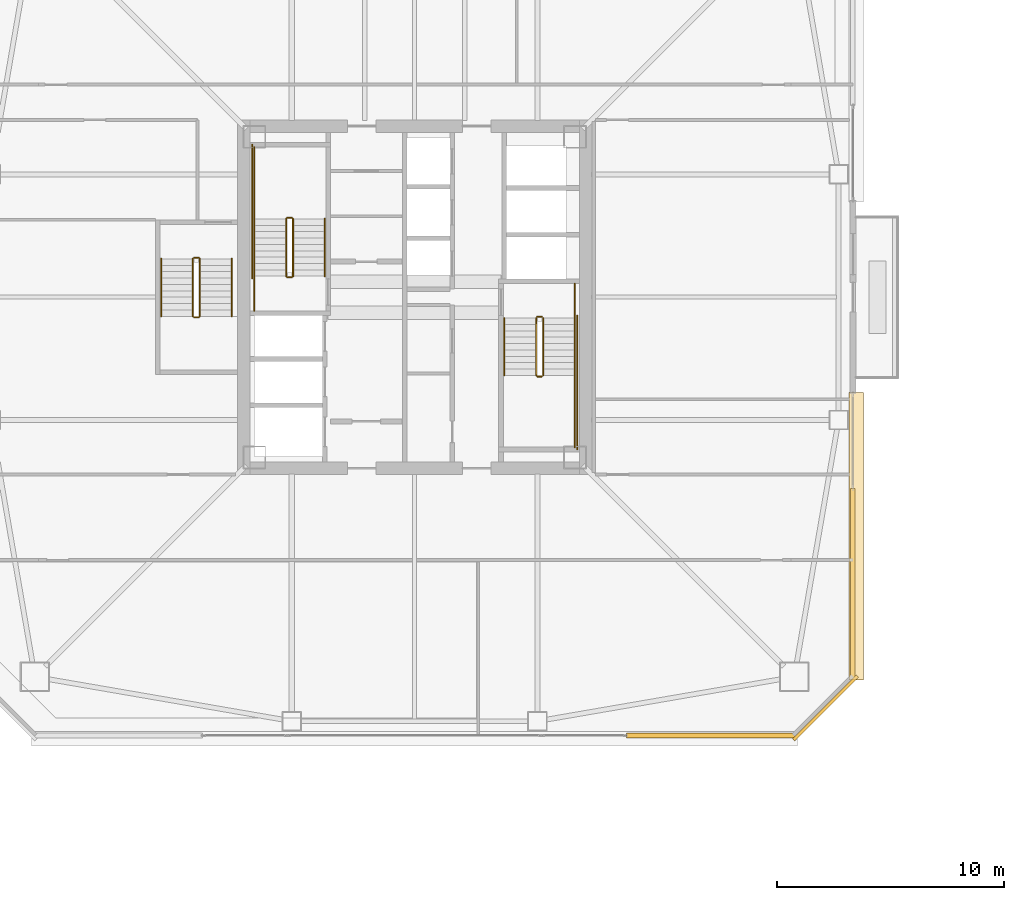
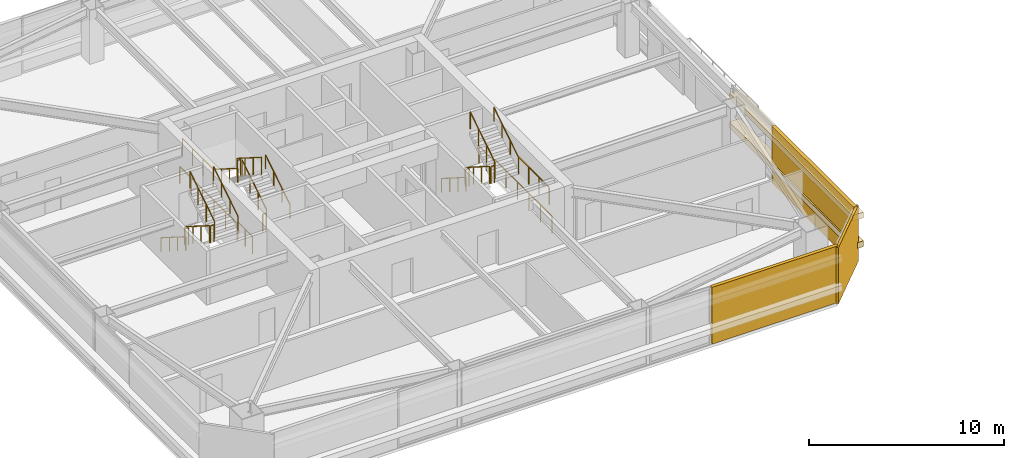
# One storey, part 36 of 40: 24 railings, 5 coverings.
"""IFC4 building model written with IfcOpenShell, lengths in metres."""

from ifc_helpers import new_model, si_unit, direction, frame, origin, origin_2d, place, context, subcontext, project, spatial, rectangle, extrude, material, layer, layer_set, type_object, element, save


model = new_model("IFC4")

# Units and contexts
model_context = context("Model", 3, precision=1e-05, world=origin(), true_north=direction((0.0, 1.0)))
body_context = subcontext(model_context, "Body", "Model", "MODEL_VIEW")
ifc_project = project(units=[si_unit("LENGTHUNIT", "METRE"), si_unit("AREAUNIT", "SQUARE_METRE"), si_unit("VOLUMEUNIT", "CUBIC_METRE"), si_unit("PLANEANGLEUNIT", "RADIAN"), si_unit("MASSUNIT", "GRAM", prefix="KILO")], contexts=[model_context])

# Site, building, storey
site_placement = place(None, origin())
site = spatial("IfcSite", under=ifc_project, at=site_placement, CompositionType="ELEMENT")
building_placement = place(site_placement, origin())
building = spatial("IfcBuilding", under=site, at=building_placement, Name="Tashvorn Skyway Center", CompositionType="ELEMENT")
storey_placement = place(building_placement, frame((0.0, 0.0, 142.800048828125)))
storey = spatial("IfcBuildingStorey", under=building, at=storey_placement, Name="L38", CompositionType="ELEMENT", Elevation=142.800048828125)

# Coverings
ifc_material_1 = material(Name="Precast concrete C40/50", Category="concrete")
ifc_layer_1 = layer(ifc_material_1, 0.199951171875)
ifc_layer_set_1 = layer_set([ifc_layer_1], Name="Precast concrete C40/50")
covering_type_1 = type_object("IfcCoveringType", Name="COV-BRACE-CLAD", PredefinedType="CLADDING", material=ifc_layer_set_1)
covering_1_placement = place(storey_placement, frame((55.051025390625, 12.719970703125, 0.0), z_axis=(0.0, 0.0, 1.0), x_axis=(-1.0, 0.0, 0.0)))
element("IfcCovering", 1, at=covering_1_placement, inside=storey, type_object=covering_type_1, Name="Tower 1 L38 South Unitised Curtain Wall Mega-Brace Cladding Band 1", PredefinedType="CLADDING", context=body_context, shape_type="SweptSolid", body=[
    extrude(rectangle(XDim=7.457763671875, YDim=0.199951171875, at=origin_2d()), origin(), (0.0, 0.0, 1.0), 3.550048828125),
])
covering_2_placement = place(storey_placement, frame((61.280029296875, 19.396728515625, 0.0), z_axis=(0.0, 0.0, 1.0), x_axis=(0.0, -1.0, 0.0)))
element("IfcCovering", 2, at=covering_2_placement, inside=storey, type_object=covering_type_1, Name="Tower 1 L38 East Curtain Wall R Mega-Brace Cladding Band 1", PredefinedType="CLADDING", context=body_context, shape_type="SweptSolid", body=[
    extrude(rectangle(XDim=8.353271484375, YDim=0.199951171875, at=origin_2d()), origin(), (0.0, 0.0, 1.0), 3.550048828125),
])
ifc_material_2 = material(Name="Perforated ceramic-coated bronze aluminium solar screen", Category="aluminium")
ifc_layer_2 = layer(ifc_material_2, 0.85009765625)
ifc_layer_set_2 = layer_set([ifc_layer_2], Name="Perforated ceramic-coated bronze aluminium solar screen")
covering_type_2 = type_object("IfcCoveringType", Name="COV-SOLAR-BAND", PredefinedType="CLADDING", material=ifc_layer_set_2)
for number, where, z_axis, x_axis, name in (
    (3, (61.419921875, 21.485107421875, 0.919921875), (0.0, 0.0, 1.0), (0.0, -1.0, 0.0), "L38 Perforated Ceramic-Metal Solar Screen Louvre Band East 1"),
    (4, (61.419921875, 21.485107421875, 2.7197265625), (0.0, 0.0, 1.0), (0.0, -1.0, 0.0), "L38 Perforated Ceramic-Metal Solar Screen Louvre Band East 2"),
):
    element("IfcCovering", number, at=place(storey_placement, frame(where, z_axis=z_axis, x_axis=x_axis)), inside=storey, type_object=covering_type_2, Name=name, PredefinedType="CLADDING", context=body_context, shape_type="SweptSolid", body=[
        extrude(rectangle(XDim=12.64990234375, YDim=0.639892578125, at=origin_2d()), origin(), (0.0, 0.0, 1.0), 0.360107421875),
    ])
ifc_layer_3 = layer(ifc_material_1, 0.35009765625)
ifc_layer_set_3 = layer_set([ifc_layer_3], Name="Precast concrete C40/50")
covering_type_3 = type_object("IfcCoveringType", Name="COV-STONE-TRIM", PredefinedType="CLADDING", material=ifc_layer_set_3)
covering_3_placement = place(storey_placement, frame((60.070068359375, 13.929931640625, 0.02001953125), z_axis=(0.0, 0.0, 1.0), x_axis=(0.707106781187, 0.707106781187, 0.0)))
element("IfcCovering", 5, at=covering_3_placement, inside=storey, type_object=covering_type_3, Name="Tower 1 L38 SE Mojave Limestone Corner Quoin", PredefinedType="CLADDING", context=body_context, shape_type="SweptSolid", body=[
    extrude(rectangle(XDim=3.978515625, YDim=0.139892578125, at=origin_2d()), origin(), (0.0, 0.0, 1.0), 3.510009765625),
])

# Railings
ifc_material_3 = material(Name="Brushed stainless steel 316", Category="steel")
railing_type_1 = type_object("IfcRailingType", Name="RAIL-HAND-920", PredefinedType="HANDRAIL", material=ifc_material_3)
railing_1_placement = place(storey_placement, frame((38.050048828125, 32.919921875, 0.177490234375)))
element("IfcRailing", 6, at=railing_1_placement, inside=storey, type_object=railing_type_1, Name="L38 ST-T1-1 stair handrail 1", PredefinedType="HANDRAIL", context=body_context, shape_type="SweptSolid", body=[
    extrude(rectangle(XDim=0.048095703125, YDim=0.048095703125, at=origin_2d()), frame((0.0, 0.0, 0.8759765625), z_axis=(0.0, 0.84460694969, 0.535386869969), x_axis=(-1.0, 0.0, 0.0)), (0.0, 0.0, 1.0), 2.983642578125),
    extrude(rectangle(XDim=0.0419921875, YDim=0.0419921875, at=origin_2d()), origin(), (0.0, 0.0, 1.0), 0.851806640625),
    extrude(rectangle(XDim=0.0419921875, YDim=0.0419921875, at=origin_2d()), frame((0.0, 0.840087890625, 0.532470703125)), (0.0, 0.0, 1.0), 0.851806640625),
    extrude(rectangle(XDim=0.0419921875, YDim=0.0419921875, at=origin_2d()), frame((0.0, 1.679931640625, 1.06494140625)), (0.0, 0.0, 1.0), 0.851806640625),
    extrude(rectangle(XDim=0.0419921875, YDim=0.0419921875, at=origin_2d()), frame((0.0, 2.52001953125, 1.597412109375)), (0.0, 0.0, 1.0), 0.851806640625),
])
railing_2_placement = place(storey_placement, frame((34.949951171875, 35.43994140625, 1.952392578125)))
element("IfcRailing", 7, at=railing_2_placement, inside=storey, type_object=railing_type_1, Name="L38 ST-T1-1 stair handrail 2", PredefinedType="HANDRAIL", context=body_context, shape_type="SweptSolid", body=[
    extrude(rectangle(XDim=0.048095703125, YDim=0.048095703125, at=origin_2d()), frame((0.0, 0.0, 0.8759765625), z_axis=(0.0, -0.84456994832, 0.535445237532), x_axis=(1.0, 0.0, 0.0)), (0.0, 0.0, 1.0), 2.98388671875),
    extrude(rectangle(XDim=0.0419921875, YDim=0.0419921875, at=origin_2d()), origin(), (0.0, 0.0, 1.0), 0.851806640625),
    extrude(rectangle(XDim=0.0419921875, YDim=0.0419921875, at=origin_2d()), frame((0.0, -0.840087890625, 0.532470703125)), (0.0, 0.0, 1.0), 0.851806640625),
    extrude(rectangle(XDim=0.0419921875, YDim=0.0419921875, at=origin_2d()), frame((0.0, -1.679931640625, 1.065185546875)), (0.0, 0.0, 1.0), 0.851806640625),
    extrude(rectangle(XDim=0.0419921875, YDim=0.0419921875, at=origin_2d()), frame((0.0, -2.52001953125, 1.59765625)), (0.0, 0.0, 1.0), 0.851806640625),
])
railing_3_placement = place(storey_placement, frame((45.949951171875, 31.080078125, 0.177490234375)))
element("IfcRailing", 8, at=railing_3_placement, inside=storey, type_object=railing_type_1, Name="L38 ST-T1-2 stair handrail 1", PredefinedType="HANDRAIL", context=body_context, shape_type="SweptSolid", body=[
    extrude(rectangle(XDim=0.048095703125, YDim=0.048095703125, at=origin_2d()), frame((0.0, 0.0, 0.8759765625), z_axis=(0.0, -0.84460694969, 0.535386869969), x_axis=(1.0, 0.0, 0.0)), (0.0, 0.0, 1.0), 2.983642578125),
    extrude(rectangle(XDim=0.0419921875, YDim=0.0419921875, at=origin_2d()), origin(), (0.0, 0.0, 1.0), 0.851806640625),
    extrude(rectangle(XDim=0.0419921875, YDim=0.0419921875, at=origin_2d()), frame((0.0, -0.840087890625, 0.532470703125)), (0.0, 0.0, 1.0), 0.851806640625),
    extrude(rectangle(XDim=0.0419921875, YDim=0.0419921875, at=origin_2d()), frame((0.0, -1.679931640625, 1.06494140625)), (0.0, 0.0, 1.0), 0.851806640625),
    extrude(rectangle(XDim=0.0419921875, YDim=0.0419921875, at=origin_2d()), frame((0.0, -2.52001953125, 1.597412109375)), (0.0, 0.0, 1.0), 0.851806640625),
])
railing_4_placement = place(storey_placement, frame((49.050048828125, 28.56005859375, 1.952392578125)))
element("IfcRailing", 9, at=railing_4_placement, inside=storey, type_object=railing_type_1, Name="L38 ST-T1-2 stair handrail 2", PredefinedType="HANDRAIL", context=body_context, shape_type="SweptSolid", body=[
    extrude(rectangle(XDim=0.048095703125, YDim=0.048095703125, at=origin_2d()), frame((0.0, 0.0, 0.8759765625), z_axis=(0.0, 0.84456994832, 0.535445237532), x_axis=(-1.0, 0.0, 0.0)), (0.0, 0.0, 1.0), 2.98388671875),
    extrude(rectangle(XDim=0.0419921875, YDim=0.0419921875, at=origin_2d()), origin(), (0.0, 0.0, 1.0), 0.851806640625),
    extrude(rectangle(XDim=0.0419921875, YDim=0.0419921875, at=origin_2d()), frame((0.0, 0.840087890625, 0.532470703125)), (0.0, 0.0, 1.0), 0.851806640625),
    extrude(rectangle(XDim=0.0419921875, YDim=0.0419921875, at=origin_2d()), frame((0.0, 1.679931640625, 1.065185546875)), (0.0, 0.0, 1.0), 0.851806640625),
    extrude(rectangle(XDim=0.0419921875, YDim=0.0419921875, at=origin_2d()), frame((0.0, 2.52001953125, 1.59765625)), (0.0, 0.0, 1.0), 0.851806640625),
])
railing_5_placement = place(storey_placement, frame((30.85009765625, 33.679931640625, 0.177490234375)))
element("IfcRailing", 10, at=railing_5_placement, inside=storey, type_object=railing_type_1, Name="L38 ST-T1-3 stair handrail 1", PredefinedType="HANDRAIL", context=body_context, shape_type="SweptSolid", body=[
    extrude(rectangle(XDim=0.048095703125, YDim=0.048095703125, at=origin_2d()), frame((0.0, 0.0, 0.8759765625), z_axis=(0.0, -0.84460694969, 0.535386869969), x_axis=(1.0, 0.0, 0.0)), (0.0, 0.0, 1.0), 2.983642578125),
    extrude(rectangle(XDim=0.0419921875, YDim=0.0419921875, at=origin_2d()), origin(), (0.0, 0.0, 1.0), 0.851806640625),
    extrude(rectangle(XDim=0.0419921875, YDim=0.0419921875, at=origin_2d()), frame((0.0, -0.840087890625, 0.532470703125)), (0.0, 0.0, 1.0), 0.851806640625),
    extrude(rectangle(XDim=0.0419921875, YDim=0.0419921875, at=origin_2d()), frame((0.0, -1.679931640625, 1.06494140625)), (0.0, 0.0, 1.0), 0.851806640625),
    extrude(rectangle(XDim=0.0419921875, YDim=0.0419921875, at=origin_2d()), frame((0.0, -2.52001953125, 1.597412109375)), (0.0, 0.0, 1.0), 0.851806640625),
])
railing_6_placement = place(storey_placement, frame((33.949951171875, 31.159912109375, 1.952392578125)))
element("IfcRailing", 11, at=railing_6_placement, inside=storey, type_object=railing_type_1, Name="L38 ST-T1-3 stair handrail 2", PredefinedType="HANDRAIL", context=body_context, shape_type="SweptSolid", body=[
    extrude(rectangle(XDim=0.048095703125, YDim=0.048095703125, at=origin_2d()), frame((0.0, 0.0, 0.8759765625), z_axis=(0.0, 0.84456994832, 0.535445237532), x_axis=(-1.0, 0.0, 0.0)), (0.0, 0.0, 1.0), 2.98388671875),
    extrude(rectangle(XDim=0.0419921875, YDim=0.0419921875, at=origin_2d()), origin(), (0.0, 0.0, 1.0), 0.851806640625),
    extrude(rectangle(XDim=0.0419921875, YDim=0.0419921875, at=origin_2d()), frame((0.0, 0.840087890625, 0.532470703125)), (0.0, 0.0, 1.0), 0.851806640625),
    extrude(rectangle(XDim=0.0419921875, YDim=0.0419921875, at=origin_2d()), frame((0.0, 1.679931640625, 1.065185546875)), (0.0, 0.0, 1.0), 0.851806640625),
    extrude(rectangle(XDim=0.0419921875, YDim=0.0419921875, at=origin_2d()), frame((0.0, 2.52001953125, 1.59765625)), (0.0, 0.0, 1.0), 0.851806640625),
])
ifc_material_4 = material(Name="Painted galvanized steel S355", Category="steel")
railing_type_2 = type_object("IfcRailingType", Name="RAIL-STGUARD-1100", PredefinedType="GUARDRAIL", material=ifc_material_4)
railing_7_placement = place(storey_placement, frame((36.64990234375, 32.919921875, 0.177490234375)))
element("IfcRailing", 12, at=railing_7_placement, inside=storey, type_object=railing_type_2, Name="L38 ST-T1-1 stair guard 1", PredefinedType="GUARDRAIL", context=body_context, shape_type="SweptSolid", body=[
    extrude(rectangle(XDim=0.048095703125, YDim=0.048095703125, at=origin_2d()), frame((0.0, 0.0, 1.076171875), z_axis=(0.0, 0.84460694969, 0.535386869969), x_axis=(-1.0, 0.0, 0.0)), (0.0, 0.0, 1.0), 2.983642578125),
    extrude(rectangle(XDim=0.0419921875, YDim=0.0419921875, at=origin_2d()), origin(), (0.0, 0.0, 1.0), 1.052001953125),
    extrude(rectangle(XDim=0.0419921875, YDim=0.0419921875, at=origin_2d()), frame((0.0, 0.840087890625, 0.532470703125)), (0.0, 0.0, 1.0), 1.052001953125),
    extrude(rectangle(XDim=0.0419921875, YDim=0.0419921875, at=origin_2d()), frame((0.0, 1.679931640625, 1.06494140625)), (0.0, 0.0, 1.0), 1.052001953125),
    extrude(rectangle(XDim=0.0419921875, YDim=0.0419921875, at=origin_2d()), frame((0.0, 2.52001953125, 1.597412109375)), (0.0, 0.0, 1.0), 1.052001953125),
])
railing_8_placement = place(storey_placement, frame((36.60009765625, 35.489990234375, 1.77490234375)))
element("IfcRailing", 13, at=railing_8_placement, inside=storey, type_object=railing_type_2, Name="L38 ST-T1-1 stair guard 2", PredefinedType="GUARDRAIL", context=body_context, shape_type="SweptSolid", body=[
    extrude(rectangle(XDim=0.048095703125, YDim=0.048095703125, at=origin_2d()), frame((0.0, 0.0, 1.076171875), z_axis=(-1.0, 0.0, 0.0), x_axis=(0.0, -1.0, 0.0)), (0.0, 0.0, 1.0), 0.2001953125),
    extrude(rectangle(XDim=0.0419921875, YDim=0.0419921875, at=origin_2d()), origin(), (0.0, 0.0, 1.0), 1.052001953125),
    extrude(rectangle(XDim=0.0419921875, YDim=0.0419921875, at=origin_2d()), frame((-0.2001953125, 0.0, 0.0)), (0.0, 0.0, 1.0), 1.052001953125),
])
railing_9_placement = place(storey_placement, frame((34.949951171875, 35.43994140625, 1.77490234375)))
element("IfcRailing", 14, at=railing_9_placement, inside=storey, type_object=railing_type_2, Name="L38 ST-T1-1 stair guard 3", PredefinedType="GUARDRAIL", context=body_context, shape_type="SweptSolid", body=[
    extrude(rectangle(XDim=0.048095703125, YDim=0.048095703125, at=origin_2d()), frame((0.0, 0.0, 1.076171875), z_axis=(0.0, 1.0, 0.0), x_axis=(-1.0, 0.0, 0.0)), (0.0, 0.0, 1.0), 3.16015625),
    extrude(rectangle(XDim=0.0419921875, YDim=0.0419921875, at=origin_2d()), origin(), (0.0, 0.0, 1.0), 1.052001953125),
    extrude(rectangle(XDim=0.0419921875, YDim=0.0419921875, at=origin_2d()), frame((0.0, 1.053466796875, 0.0)), (0.0, 0.0, 1.0), 1.052001953125),
    extrude(rectangle(XDim=0.0419921875, YDim=0.0419921875, at=origin_2d()), frame((0.0, 2.106689453125, 0.0)), (0.0, 0.0, 1.0), 1.052001953125),
    extrude(rectangle(XDim=0.0419921875, YDim=0.0419921875, at=origin_2d()), frame((0.0, 3.16015625, 0.0)), (0.0, 0.0, 1.0), 1.052001953125),
])
railing_10_placement = place(storey_placement, frame((36.35009765625, 35.43994140625, 1.952392578125)))
element("IfcRailing", 15, at=railing_10_placement, inside=storey, type_object=railing_type_2, Name="L38 ST-T1-1 stair guard 4", PredefinedType="GUARDRAIL", context=body_context, shape_type="SweptSolid", body=[
    extrude(rectangle(XDim=0.048095703125, YDim=0.048095703125, at=origin_2d()), frame((0.0, 0.0, 1.076171875), z_axis=(0.0, -0.84456994832, 0.535445237532), x_axis=(1.0, 0.0, 0.0)), (0.0, 0.0, 1.0), 2.98388671875),
    extrude(rectangle(XDim=0.0419921875, YDim=0.0419921875, at=origin_2d()), origin(), (0.0, 0.0, 1.0), 1.052001953125),
    extrude(rectangle(XDim=0.0419921875, YDim=0.0419921875, at=origin_2d()), frame((0.0, -0.840087890625, 0.532470703125)), (0.0, 0.0, 1.0), 1.052001953125),
    extrude(rectangle(XDim=0.0419921875, YDim=0.0419921875, at=origin_2d()), frame((0.0, -1.679931640625, 1.065185546875)), (0.0, 0.0, 1.0), 1.052001953125),
    extrude(rectangle(XDim=0.0419921875, YDim=0.0419921875, at=origin_2d()), frame((0.0, -2.52001953125, 1.59765625)), (0.0, 0.0, 1.0), 1.052001953125),
])
railing_11_placement = place(storey_placement, frame((36.60009765625, 32.8701171875, 0.0)))
element("IfcRailing", 16, at=railing_11_placement, inside=storey, type_object=railing_type_2, Name="L38 ST-T1-1 stair guard 5", PredefinedType="GUARDRAIL", context=body_context, shape_type="SweptSolid", body=[
    extrude(rectangle(XDim=0.048095703125, YDim=0.048095703125, at=origin_2d()), frame((0.0, 0.0, 1.076171875), z_axis=(-1.0, 0.0, 0.0), x_axis=(0.0, -1.0, 0.0)), (0.0, 0.0, 1.0), 0.2001953125),
    extrude(rectangle(XDim=0.0419921875, YDim=0.0419921875, at=origin_2d()), origin(), (0.0, 0.0, 1.0), 1.052001953125),
    extrude(rectangle(XDim=0.0419921875, YDim=0.0419921875, at=origin_2d()), frame((-0.2001953125, 0.0, 0.0)), (0.0, 0.0, 1.0), 1.052001953125),
])
railing_12_placement = place(storey_placement, frame((34.949951171875, 31.39990234375, 0.0)))
element("IfcRailing", 17, at=railing_12_placement, inside=storey, type_object=railing_type_2, Name="L38 ST-T1-1 stair guard 6", PredefinedType="GUARDRAIL", context=body_context, shape_type="SweptSolid", body=[
    extrude(rectangle(XDim=0.048095703125, YDim=0.048095703125, at=origin_2d()), frame((0.0, 0.0, 1.076171875), z_axis=(0.0, 1.0, 0.0), x_axis=(-1.0, 0.0, 0.0)), (0.0, 0.0, 1.0), 1.52001953125),
    extrude(rectangle(XDim=0.0419921875, YDim=0.0419921875, at=origin_2d()), origin(), (0.0, 0.0, 1.0), 1.052001953125),
    extrude(rectangle(XDim=0.0419921875, YDim=0.0419921875, at=origin_2d()), frame((0.0, 0.760009765625, 0.0)), (0.0, 0.0, 1.0), 1.052001953125),
    extrude(rectangle(XDim=0.0419921875, YDim=0.0419921875, at=origin_2d()), frame((0.0, 1.52001953125, 0.0)), (0.0, 0.0, 1.0), 1.052001953125),
])
railing_13_placement = place(storey_placement, frame((34.85009765625, 32.820068359375, 0.0)))
element("IfcRailing", 18, at=railing_13_placement, inside=storey, type_object=railing_type_2, Name="L38 ST-T1-1 stair guard 7", PredefinedType="GUARDRAIL", context=body_context, shape_type="SweptSolid", body=[
    extrude(rectangle(XDim=0.048095703125, YDim=0.048095703125, at=origin_2d()), frame((0.0, 0.0, 1.076171875), z_axis=(0.0, 1.0, 0.0), x_axis=(-1.0, 0.0, 0.0)), (0.0, 0.0, 1.0), 5.8798828125),
    extrude(rectangle(XDim=0.0419921875, YDim=0.0419921875, at=origin_2d()), origin(), (0.0, 0.0, 1.0), 1.052001953125),
    extrude(rectangle(XDim=0.0419921875, YDim=0.0419921875, at=origin_2d()), frame((0.0, 1.176025390625, 0.0)), (0.0, 0.0, 1.0), 1.052001953125),
    extrude(rectangle(XDim=0.0419921875, YDim=0.0419921875, at=origin_2d()), frame((0.0, 2.35205078125, 0.0)), (0.0, 0.0, 1.0), 1.052001953125),
    extrude(rectangle(XDim=0.0419921875, YDim=0.0419921875, at=origin_2d()), frame((0.0, 3.52783203125, 0.0)), (0.0, 0.0, 1.0), 1.052001953125),
    extrude(rectangle(XDim=0.0419921875, YDim=0.0419921875, at=origin_2d()), frame((0.0, 4.703857421875, 0.0)), (0.0, 0.0, 1.0), 1.052001953125),
    extrude(rectangle(XDim=0.0419921875, YDim=0.0419921875, at=origin_2d()), frame((0.0, 5.8798828125, 0.0)), (0.0, 0.0, 1.0), 1.052001953125),
])
railing_14_placement = place(storey_placement, frame((47.35009765625, 31.080078125, 0.177490234375)))
element("IfcRailing", 19, at=railing_14_placement, inside=storey, type_object=railing_type_2, Name="L38 ST-T1-2 stair guard 1", PredefinedType="GUARDRAIL", context=body_context, shape_type="SweptSolid", body=[
    extrude(rectangle(XDim=0.048095703125, YDim=0.048095703125, at=origin_2d()), frame((0.0, 0.0, 1.076171875), z_axis=(0.0, -0.84460694969, 0.535386869969), x_axis=(1.0, 0.0, 0.0)), (0.0, 0.0, 1.0), 2.983642578125),
    extrude(rectangle(XDim=0.0419921875, YDim=0.0419921875, at=origin_2d()), origin(), (0.0, 0.0, 1.0), 1.052001953125),
    extrude(rectangle(XDim=0.0419921875, YDim=0.0419921875, at=origin_2d()), frame((0.0, -0.840087890625, 0.532470703125)), (0.0, 0.0, 1.0), 1.052001953125),
    extrude(rectangle(XDim=0.0419921875, YDim=0.0419921875, at=origin_2d()), frame((0.0, -1.679931640625, 1.06494140625)), (0.0, 0.0, 1.0), 1.052001953125),
    extrude(rectangle(XDim=0.0419921875, YDim=0.0419921875, at=origin_2d()), frame((0.0, -2.52001953125, 1.597412109375)), (0.0, 0.0, 1.0), 1.052001953125),
])
railing_15_placement = place(storey_placement, frame((47.39990234375, 28.510009765625, 1.77490234375)))
element("IfcRailing", 20, at=railing_15_placement, inside=storey, type_object=railing_type_2, Name="L38 ST-T1-2 stair guard 2", PredefinedType="GUARDRAIL", context=body_context, shape_type="SweptSolid", body=[
    extrude(rectangle(XDim=0.048095703125, YDim=0.048095703125, at=origin_2d()), frame((0.0, 0.0, 1.076171875), z_axis=(1.0, 0.0, 0.0), x_axis=(0.0, 1.0, 0.0)), (0.0, 0.0, 1.0), 0.2001953125),
    extrude(rectangle(XDim=0.0419921875, YDim=0.0419921875, at=origin_2d()), origin(), (0.0, 0.0, 1.0), 1.052001953125),
    extrude(rectangle(XDim=0.0419921875, YDim=0.0419921875, at=origin_2d()), frame((0.2001953125, 0.0, 0.0)), (0.0, 0.0, 1.0), 1.052001953125),
])
railing_16_placement = place(storey_placement, frame((49.050048828125, 28.56005859375, 1.77490234375)))
element("IfcRailing", 21, at=railing_16_placement, inside=storey, type_object=railing_type_2, Name="L38 ST-T1-2 stair guard 3", PredefinedType="GUARDRAIL", context=body_context, shape_type="SweptSolid", body=[
    extrude(rectangle(XDim=0.048095703125, YDim=0.048095703125, at=origin_2d()), frame((0.0, 0.0, 1.076171875), z_axis=(0.0, -1.0, 0.0), x_axis=(1.0, 0.0, 0.0)), (0.0, 0.0, 1.0), 3.16015625),
    extrude(rectangle(XDim=0.0419921875, YDim=0.0419921875, at=origin_2d()), origin(), (0.0, 0.0, 1.0), 1.052001953125),
    extrude(rectangle(XDim=0.0419921875, YDim=0.0419921875, at=origin_2d()), frame((0.0, -1.053466796875, 0.0)), (0.0, 0.0, 1.0), 1.052001953125),
    extrude(rectangle(XDim=0.0419921875, YDim=0.0419921875, at=origin_2d()), frame((0.0, -2.106689453125, 0.0)), (0.0, 0.0, 1.0), 1.052001953125),
    extrude(rectangle(XDim=0.0419921875, YDim=0.0419921875, at=origin_2d()), frame((0.0, -3.16015625, 0.0)), (0.0, 0.0, 1.0), 1.052001953125),
])
railing_17_placement = place(storey_placement, frame((47.64990234375, 28.56005859375, 1.952392578125)))
element("IfcRailing", 22, at=railing_17_placement, inside=storey, type_object=railing_type_2, Name="L38 ST-T1-2 stair guard 4", PredefinedType="GUARDRAIL", context=body_context, shape_type="SweptSolid", body=[
    extrude(rectangle(XDim=0.048095703125, YDim=0.048095703125, at=origin_2d()), frame((0.0, 0.0, 1.076171875), z_axis=(0.0, 0.84456994832, 0.535445237532), x_axis=(-1.0, 0.0, 0.0)), (0.0, 0.0, 1.0), 2.98388671875),
    extrude(rectangle(XDim=0.0419921875, YDim=0.0419921875, at=origin_2d()), origin(), (0.0, 0.0, 1.0), 1.052001953125),
    extrude(rectangle(XDim=0.0419921875, YDim=0.0419921875, at=origin_2d()), frame((0.0, 0.840087890625, 0.532470703125)), (0.0, 0.0, 1.0), 1.052001953125),
    extrude(rectangle(XDim=0.0419921875, YDim=0.0419921875, at=origin_2d()), frame((0.0, 1.679931640625, 1.065185546875)), (0.0, 0.0, 1.0), 1.052001953125),
    extrude(rectangle(XDim=0.0419921875, YDim=0.0419921875, at=origin_2d()), frame((0.0, 2.52001953125, 1.59765625)), (0.0, 0.0, 1.0), 1.052001953125),
])
railing_18_placement = place(storey_placement, frame((47.39990234375, 31.1298828125, 0.0)))
element("IfcRailing", 23, at=railing_18_placement, inside=storey, type_object=railing_type_2, Name="L38 ST-T1-2 stair guard 5", PredefinedType="GUARDRAIL", context=body_context, shape_type="SweptSolid", body=[
    extrude(rectangle(XDim=0.048095703125, YDim=0.048095703125, at=origin_2d()), frame((0.0, 0.0, 1.076171875), z_axis=(1.0, 0.0, 0.0), x_axis=(0.0, 1.0, 0.0)), (0.0, 0.0, 1.0), 0.2001953125),
    extrude(rectangle(XDim=0.0419921875, YDim=0.0419921875, at=origin_2d()), origin(), (0.0, 0.0, 1.0), 1.052001953125),
    extrude(rectangle(XDim=0.0419921875, YDim=0.0419921875, at=origin_2d()), frame((0.2001953125, 0.0, 0.0)), (0.0, 0.0, 1.0), 1.052001953125),
])
railing_19_placement = place(storey_placement, frame((49.050048828125, 32.60009765625, 0.0)))
element("IfcRailing", 24, at=railing_19_placement, inside=storey, type_object=railing_type_2, Name="L38 ST-T1-2 stair guard 6", PredefinedType="GUARDRAIL", context=body_context, shape_type="SweptSolid", body=[
    extrude(rectangle(XDim=0.048095703125, YDim=0.048095703125, at=origin_2d()), frame((0.0, 0.0, 1.076171875), z_axis=(0.0, -1.0, 0.0), x_axis=(1.0, 0.0, 0.0)), (0.0, 0.0, 1.0), 1.52001953125),
    extrude(rectangle(XDim=0.0419921875, YDim=0.0419921875, at=origin_2d()), origin(), (0.0, 0.0, 1.0), 1.052001953125),
    extrude(rectangle(XDim=0.0419921875, YDim=0.0419921875, at=origin_2d()), frame((0.0, -0.760009765625, 0.0)), (0.0, 0.0, 1.0), 1.052001953125),
    extrude(rectangle(XDim=0.0419921875, YDim=0.0419921875, at=origin_2d()), frame((0.0, -1.52001953125, 0.0)), (0.0, 0.0, 1.0), 1.052001953125),
])
railing_20_placement = place(storey_placement, frame((49.14990234375, 31.179931640625, 0.0)))
element("IfcRailing", 25, at=railing_20_placement, inside=storey, type_object=railing_type_2, Name="L38 ST-T1-2 stair guard 7", PredefinedType="GUARDRAIL", context=body_context, shape_type="SweptSolid", body=[
    extrude(rectangle(XDim=0.048095703125, YDim=0.048095703125, at=origin_2d()), frame((0.0, 0.0, 1.076171875), z_axis=(0.0, -1.0, 0.0), x_axis=(1.0, 0.0, 0.0)), (0.0, 0.0, 1.0), 5.8798828125),
    extrude(rectangle(XDim=0.0419921875, YDim=0.0419921875, at=origin_2d()), origin(), (0.0, 0.0, 1.0), 1.052001953125),
    extrude(rectangle(XDim=0.0419921875, YDim=0.0419921875, at=origin_2d()), frame((0.0, -1.176025390625, 0.0)), (0.0, 0.0, 1.0), 1.052001953125),
    extrude(rectangle(XDim=0.0419921875, YDim=0.0419921875, at=origin_2d()), frame((0.0, -2.35205078125, 0.0)), (0.0, 0.0, 1.0), 1.052001953125),
    extrude(rectangle(XDim=0.0419921875, YDim=0.0419921875, at=origin_2d()), frame((0.0, -3.52783203125, 0.0)), (0.0, 0.0, 1.0), 1.052001953125),
    extrude(rectangle(XDim=0.0419921875, YDim=0.0419921875, at=origin_2d()), frame((0.0, -4.703857421875, 0.0)), (0.0, 0.0, 1.0), 1.052001953125),
    extrude(rectangle(XDim=0.0419921875, YDim=0.0419921875, at=origin_2d()), frame((0.0, -5.8798828125, 0.0)), (0.0, 0.0, 1.0), 1.052001953125),
])
railing_21_placement = place(storey_placement, frame((32.25, 33.679931640625, 0.177490234375)))
element("IfcRailing", 26, at=railing_21_placement, inside=storey, type_object=railing_type_2, Name="L38 ST-T1-3 stair guard 1", PredefinedType="GUARDRAIL", context=body_context, shape_type="SweptSolid", body=[
    extrude(rectangle(XDim=0.048095703125, YDim=0.048095703125, at=origin_2d()), frame((0.0, 0.0, 1.076171875), z_axis=(0.0, -0.84460694969, 0.535386869969), x_axis=(1.0, 0.0, 0.0)), (0.0, 0.0, 1.0), 2.983642578125),
    extrude(rectangle(XDim=0.0419921875, YDim=0.0419921875, at=origin_2d()), origin(), (0.0, 0.0, 1.0), 1.052001953125),
    extrude(rectangle(XDim=0.0419921875, YDim=0.0419921875, at=origin_2d()), frame((0.0, -0.840087890625, 0.532470703125)), (0.0, 0.0, 1.0), 1.052001953125),
    extrude(rectangle(XDim=0.0419921875, YDim=0.0419921875, at=origin_2d()), frame((0.0, -1.679931640625, 1.06494140625)), (0.0, 0.0, 1.0), 1.052001953125),
    extrude(rectangle(XDim=0.0419921875, YDim=0.0419921875, at=origin_2d()), frame((0.0, -2.52001953125, 1.597412109375)), (0.0, 0.0, 1.0), 1.052001953125),
])
railing_22_placement = place(storey_placement, frame((32.300048828125, 31.110107421875, 1.77490234375)))
element("IfcRailing", 27, at=railing_22_placement, inside=storey, type_object=railing_type_2, Name="L38 ST-T1-3 stair guard 2", PredefinedType="GUARDRAIL", context=body_context, shape_type="SweptSolid", body=[
    extrude(rectangle(XDim=0.048095703125, YDim=0.048095703125, at=origin_2d()), frame((0.0, 0.0, 1.076171875), z_axis=(1.0, 0.0, 0.0), x_axis=(0.0, 1.0, 0.0)), (0.0, 0.0, 1.0), 0.199951171875),
    extrude(rectangle(XDim=0.0419921875, YDim=0.0419921875, at=origin_2d()), origin(), (0.0, 0.0, 1.0), 1.052001953125),
    extrude(rectangle(XDim=0.0419921875, YDim=0.0419921875, at=origin_2d()), frame((0.199951171875, 0.0, 0.0)), (0.0, 0.0, 1.0), 1.052001953125),
])
railing_23_placement = place(storey_placement, frame((32.550048828125, 31.159912109375, 1.952392578125)))
element("IfcRailing", 28, at=railing_23_placement, inside=storey, type_object=railing_type_2, Name="L38 ST-T1-3 stair guard 3", PredefinedType="GUARDRAIL", context=body_context, shape_type="SweptSolid", body=[
    extrude(rectangle(XDim=0.048095703125, YDim=0.048095703125, at=origin_2d()), frame((0.0, 0.0, 1.076171875), z_axis=(0.0, 0.84456994832, 0.535445237532), x_axis=(-1.0, 0.0, 0.0)), (0.0, 0.0, 1.0), 2.98388671875),
    extrude(rectangle(XDim=0.0419921875, YDim=0.0419921875, at=origin_2d()), origin(), (0.0, 0.0, 1.0), 1.052001953125),
    extrude(rectangle(XDim=0.0419921875, YDim=0.0419921875, at=origin_2d()), frame((0.0, 0.840087890625, 0.532470703125)), (0.0, 0.0, 1.0), 1.052001953125),
    extrude(rectangle(XDim=0.0419921875, YDim=0.0419921875, at=origin_2d()), frame((0.0, 1.679931640625, 1.065185546875)), (0.0, 0.0, 1.0), 1.052001953125),
    extrude(rectangle(XDim=0.0419921875, YDim=0.0419921875, at=origin_2d()), frame((0.0, 2.52001953125, 1.59765625)), (0.0, 0.0, 1.0), 1.052001953125),
])
railing_24_placement = place(storey_placement, frame((32.300048828125, 33.72998046875, 0.0)))
element("IfcRailing", 29, at=railing_24_placement, inside=storey, type_object=railing_type_2, Name="L38 ST-T1-3 stair guard 4", PredefinedType="GUARDRAIL", context=body_context, shape_type="SweptSolid", body=[
    extrude(rectangle(XDim=0.048095703125, YDim=0.048095703125, at=origin_2d()), frame((0.0, 0.0, 1.076171875), z_axis=(1.0, 0.0, 0.0), x_axis=(0.0, 1.0, 0.0)), (0.0, 0.0, 1.0), 0.199951171875),
    extrude(rectangle(XDim=0.0419921875, YDim=0.0419921875, at=origin_2d()), origin(), (0.0, 0.0, 1.0), 1.052001953125),
    extrude(rectangle(XDim=0.0419921875, YDim=0.0419921875, at=origin_2d()), frame((0.199951171875, 0.0, 0.0)), (0.0, 0.0, 1.0), 1.052001953125),
])

save(model, "model.ifc")
